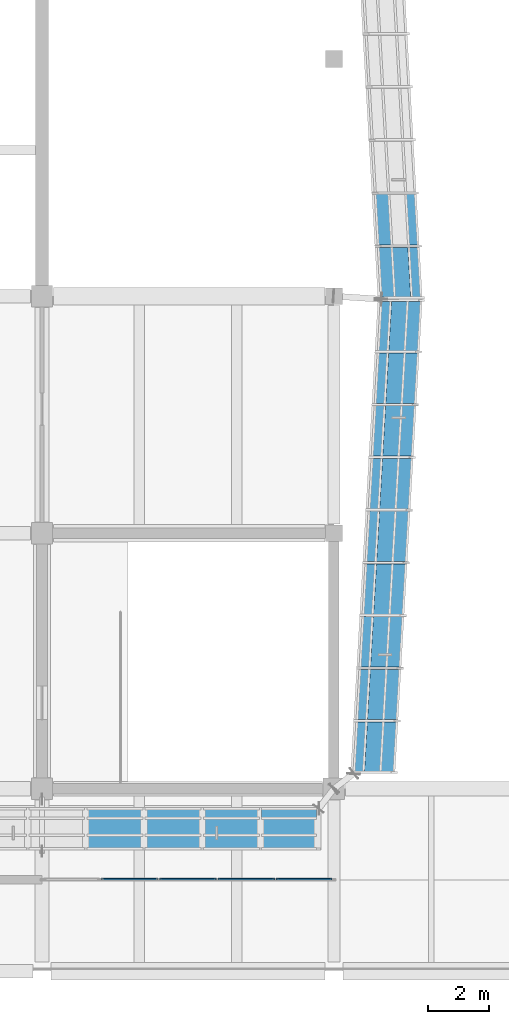
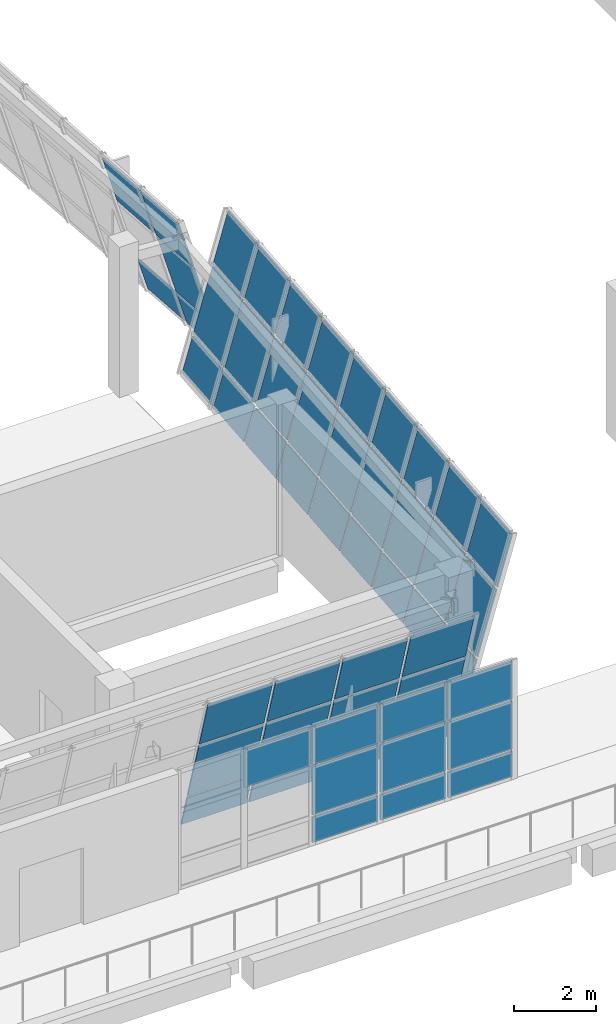
# One storey, part 39 of 67: 54 plates, 4 elements without a shape of their own.
"""IFC4 building model written with IfcOpenShell, lengths in metres."""

import ifcopenshell
import ifcopenshell.guid

model = None  # the IFC model being written
_history = None  # IfcOwnerHistory: only IFC2X3 demands one
_inside = {}  # id of a spatial element -> (the spatial element, [elements in it])
_under = {}  # id of a project, library or spatial element -> (it, [spatial elements below it])
_declared = {}  # id of a project -> (the project, [libraries it declares])
_typed = {}  # id of a type object -> (the type object, [elements of that type])
_made_of = {}  # id of a material, layer set ... -> (it, [elements and type objects made of it])


def new_model(schema):
    """Start an empty IFC model of exactly this schema.

    Asked for "IFC4X3", IfcOpenShell would pick the latest addendum, in which some entities
    have other attributes; the version numbers below select the first issue.
    IFC2X3 requires an IfcOwnerHistory on every rooted entity: one is made here for all.
    """
    global model, _history
    if schema == "IFC4X3":
        model = ifcopenshell.file(schema_version=(4, 3, 0, 0))
    else:
        model = ifcopenshell.file(schema=schema)
    _inside.clear()
    _under.clear()
    _declared.clear()
    _typed.clear()
    _made_of.clear()
    _history = None
    if model.schema == "IFC2X3":
        org = make("IfcOrganization", Name="unknown")
        user = make(
            "IfcPersonAndOrganization",
            ThePerson=make("IfcPerson", FamilyName="unknown"),
            TheOrganization=org,
        )
        app = make(
            "IfcApplication",
            ApplicationDeveloper=org,
            Version="unknown",
            ApplicationFullName="unknown",
            ApplicationIdentifier="unknown",
        )
        _history = make(
            "IfcOwnerHistory",
            OwningUser=user,
            OwningApplication=app,
            ChangeAction="ADDED",
            CreationDate=0,
        )
    return model


def make(cls, **values):
    """One entity of the class cls with the attributes given. An attribute that is None is left unset."""
    return model.create_entity(
        cls, **{name: value for name, value in values.items() if value is not None}
    )


def rooted(cls, **values):
    """An entity with a GlobalId (a new one), such as an element, a storey or a relation."""
    return make(cls, GlobalId=ifcopenshell.guid.new(), OwnerHistory=_history, **values)


def si_unit(unit_type, name, prefix=None):
    """IfcSIUnit, for example si_unit("LENGTHUNIT", "METRE", prefix="MILLI")."""
    return make("IfcSIUnit", UnitType=unit_type, Prefix=prefix, Name=name)


def assignment(units):
    """IfcUnitAssignment: the units of a project."""
    return None if units is None else make("IfcUnitAssignment", Units=units)


def point(xyz):
    """IfcCartesianPoint."""
    return None if xyz is None else make("IfcCartesianPoint", Coordinates=xyz)


def direction(xyz):
    """IfcDirection."""
    return None if xyz is None else make("IfcDirection", DirectionRatios=xyz)


def frame(location, z_axis=None, x_axis=None):
    """IfcAxis2Placement3D, a coordinate frame: its origin and axes. An axis left out is left unset."""
    return make(
        "IfcAxis2Placement3D",
        Location=point(location),
        Axis=direction(z_axis),
        RefDirection=direction(x_axis),
    )


def origin():
    """The frame at (0, 0, 0) with its axes left unset."""
    return frame((0.0, 0.0, 0.0))


def place(relative_to, where):
    """IfcLocalPlacement: puts the frame where relative to a parent placement (None: the world)."""
    return make(
        "IfcLocalPlacement", PlacementRelTo=relative_to, RelativePlacement=where
    )


def context(
    kind, dimensions, precision=None, world=None, true_north=None, identifier=None
):
    """IfcGeometricRepresentationContext, for example the 3D "Model" context."""
    return make(
        "IfcGeometricRepresentationContext",
        ContextIdentifier=identifier,
        ContextType=kind,
        CoordinateSpaceDimension=dimensions,
        Precision=precision,
        WorldCoordinateSystem=world,
        TrueNorth=true_north,
    )


def subcontext(parent, identifier, kind, view, scale=None):
    """IfcGeometricRepresentationSubContext, for example "Body" below "Model"."""
    return make(
        "IfcGeometricRepresentationSubContext",
        ContextIdentifier=identifier,
        ContextType=kind,
        ParentContext=parent,
        TargetScale=scale,
        TargetView=view,
    )


def project(units=None, contexts=None):
    """IfcProject with its units and contexts."""
    return rooted(
        "IfcProject",
        Name="project",
        RepresentationContexts=contexts,
        UnitsInContext=assignment(units),
    )


def spatial(cls, under=None, at=None, **own):
    """A site, building, storey or space (cls), placed at a placement, below another one or the project."""
    s = rooted(cls, ObjectPlacement=at, **own)
    if under is not None:
        _under.setdefault(under.id(), (under, []))[1].append(s)
    return s


def polyline(points):
    """IfcPolyline through the points."""
    return make("IfcPolyline", Points=[point(p) for p in points])


def outline(outer, holes=None, kind="AREA"):
    """IfcArbitraryClosedProfileDef: a profile drawn as a closed curve; with holes, ...WithVoids."""
    if holes is None:
        return make("IfcArbitraryClosedProfileDef", ProfileType=kind, OuterCurve=outer)
    return make(
        "IfcArbitraryProfileDefWithVoids",
        ProfileType=kind,
        OuterCurve=outer,
        InnerCurves=holes,
    )


def extrude(swept, where, along, depth):
    """IfcExtrudedAreaSolid: the profile swept, set in the frame where, extruded along a direction by depth."""
    return make(
        "IfcExtrudedAreaSolid",
        SweptArea=swept,
        Position=where,
        ExtrudedDirection=direction(along),
        Depth=depth,
    )


def shape(context_of_items, identifier, shape_type, items):
    """IfcShapeRepresentation: the items that make up one representation, for example the "Body"."""
    return make(
        "IfcShapeRepresentation",
        ContextOfItems=context_of_items,
        RepresentationIdentifier=identifier,
        RepresentationType=shape_type,
        Items=items,
    )


def material(Name=None, Category=None):
    """IfcMaterial."""
    return make("IfcMaterial", Name=Name, Category=Category)


def layer(
    of_material, thickness, ventilated=None, Name=None, Category=None, Priority=None
):
    """IfcMaterialLayer: one layer of a wall or slab, of a material (None: an air gap)."""
    return make(
        "IfcMaterialLayer",
        Material=of_material,
        LayerThickness=thickness,
        IsVentilated=ventilated,
        Name=Name,
        Category=Category,
        Priority=Priority,
    )


def layer_set(layers, Name=None):
    """IfcMaterialLayerSet."""
    return make("IfcMaterialLayerSet", MaterialLayers=layers, LayerSetName=Name)


def made_of(thing, what):
    """Note that an element or type object is made of a material, layer set ...; save() writes the relation."""
    if what is not None:
        _made_of.setdefault(what.id(), (what, []))[1].append(thing)
    return thing


def type_object(cls, material=None, **own):
    """A type object (cls), such as IfcWallType, which elements share."""
    return made_of(rooted(cls, **own), material)


def element(
    cls,
    number,
    at=None,
    inside=None,
    cuts=None,
    type_object=None,
    material=None,
    context=None,
    identifier="Body",
    shape_type=None,
    held_by="IfcProductDefinitionShape",
    body=None,
    shapes=None,
    **own,
):
    """One element of the class cls, such as IfcWall. Its Tag is "e" and its number.

    at: its placement. inside: the storey or other place that contains it. cuts: it is an
    opening in that element (IfcRelVoidsElement). A single representation is given by context,
    identifier, shape_type and body (its items); several are given by shapes. held_by: the class
    of the entity that holds the representations. save() writes the other relations.
    """
    e = rooted(cls, Tag="e%d" % number, ObjectPlacement=at, **own)
    if body is not None:
        shapes = [shape(context, identifier, shape_type, body)]
    if shapes is not None:
        e.Representation = make(held_by, Representations=shapes)
    if inside is not None:
        _inside.setdefault(inside.id(), (inside, []))[1].append(e)
    if cuts is not None:
        rooted(
            "IfcRelVoidsElement", RelatingBuildingElement=cuts, RelatedOpeningElement=e
        )
    if type_object is not None:
        _typed.setdefault(type_object.id(), (type_object, []))[1].append(e)
    return made_of(e, material)


def aggregate(whole, parts):
    """IfcRelAggregates: a whole, such as a stair, and the parts it consists of."""
    return rooted("IfcRelAggregates", RelatingObject=whole, RelatedObjects=parts)


def save(model, path):
    """Write the relations noted so far, then the file.

    IfcRelAggregates (storeys below a building ...), IfcRelContainedInSpatialStructure (elements
    in a storey), IfcRelDefinesByType, IfcRelAssociatesMaterial and IfcRelDeclares: one each for
    every whole, place, type object, material and project.
    """
    for whole, parts in _under.values():
        aggregate(whole, parts)
    for where, things in _inside.values():
        rooted(
            "IfcRelContainedInSpatialStructure",
            RelatedElements=things,
            RelatingStructure=where,
        )
    for kind, things in _typed.values():
        rooted("IfcRelDefinesByType", RelatedObjects=things, RelatingType=kind)
    for what, things in _made_of.values():
        rooted("IfcRelAssociatesMaterial", RelatedObjects=things, RelatingMaterial=what)
    for by, libraries in _declared.values():
        rooted("IfcRelDeclares", RelatingContext=by, RelatedDefinitions=libraries)
    model.write(path)


model = new_model("IFC4")

# Units and contexts
model_context = context("Model", 3, precision=1e-05, world=origin(), true_north=direction((0.0, 1.0)))
body_context = subcontext(model_context, "Body", "Model", "MODEL_VIEW")
ifc_project = project(units=[si_unit("LENGTHUNIT", "METRE"), si_unit("AREAUNIT", "SQUARE_METRE"), si_unit("VOLUMEUNIT", "CUBIC_METRE"), si_unit("PLANEANGLEUNIT", "RADIAN"), si_unit("MASSUNIT", "GRAM", prefix="KILO")], contexts=[model_context])

# Site, building, storey
site_placement = place(None, origin())
site = spatial("IfcSite", under=ifc_project, at=site_placement, CompositionType="ELEMENT")
building_placement = place(site_placement, origin())
building = spatial("IfcBuilding", under=site, at=building_placement, Name="Pellamere Symphony Hall", CompositionType="ELEMENT")
storey_placement = place(building_placement, frame((0.0, 0.0, 19.5)))
storey = spatial("IfcBuildingStorey", under=building, at=storey_placement, Name="L04", CompositionType="ELEMENT", Elevation=19.5)

# Curtain wall, plates
ifc_material_1 = material(Name="Thermally Broken Anodised Aluminium 6063-T6 Curtain Wall", Category="aluminium")
curtain_wall_type_1 = type_object("IfcCurtainWallType", Name="Curtain Wall CW-01 (Tilted Faceted Crystal Low-Iron Curtain Wall)", PredefinedType="NOTDEFINED", material=ifc_material_1)
curtain_wall_1_placement = place(storey_placement, origin())
curtain_wall_1 = element("IfcCurtainWall", 1, at=curtain_wall_1_placement, inside=storey, type_object=curtain_wall_type_1, Name="Crystal Faceted Curtain Wall CW-CR05 (L04)", PredefinedType="NOTDEFINED")
ifc_material_2 = material(Name="Triple Laminated Acoustic Crystal Glazing 42mm", Category="glass")
ifc_layer_1 = layer(ifc_material_2, 0.0419921875, Name="Triple Laminated Acoustic Crystal Glazing 42mm")
ifc_layer_set_1 = layer_set([ifc_layer_1], Name="Triple Laminated Acoustic Crystal Glazing 42mm")
plate_type_1 = type_object("IfcPlateType", Name="Facade Panel GL-02 42mm", PredefinedType="CURTAIN_PANEL", material=ifc_layer_set_1)
plate_1_placement = place(storey_placement, frame((110.680419921875, 29.32861328125, 0.072021484375), z_axis=(0.0, 0.958834551631, 0.28396531936), x_axis=(1.0, 0.0, 0.0)))
plate_1 = element("IfcPlate", 2, at=plate_1_placement, type_object=plate_type_1, Name="CW1-005 crystal glass panel 4.1", PredefinedType="CURTAIN_PANEL", context=body_context, shape_type="SweptSolid", body=[
    extrude(outline(polyline([(0.0, 0.0), (1.839111328125, 0.0), (1.839111328125, -1.013651235734157), (0.0, -1.013651235734157), (0.0, 0.0)])), origin(), (0.0, 0.0, -1.0), 0.0419921875),
])
plate_2_placement = place(storey_placement, frame((110.680419921875, 29.01953125, 1.115966796875), z_axis=(0.0, 0.95881629514, 0.284026956772), x_axis=(1.0, 0.0, 0.0)))
plate_2 = element("IfcPlate", 3, at=plate_2_placement, type_object=plate_type_1, Name="CW1-005 crystal glass panel 4.2", PredefinedType="CURTAIN_PANEL", context=body_context, shape_type="SweptSolid", body=[
    extrude(outline(polyline([(0.0, 0.0), (1.839111328125, 0.0), (1.839111328125, -1.8962081095092476), (0.0, -1.8962081095092476), (0.0, 0.0)])), origin(), (0.0, 0.0, -1.0), 0.0419921875),
])
plate_3_placement = place(storey_placement, frame((110.680419921875, 28.45947265625, 3.005859375), z_axis=(0.0, 0.958839617643, 0.28394821295), x_axis=(1.0, 0.0, 0.0)))
plate_3 = element("IfcPlate", 4, at=plate_3_placement, type_object=plate_type_1, Name="CW1-005 crystal glass panel 4.3", PredefinedType="CURTAIN_PANEL", context=body_context, shape_type="SweptSolid", body=[
    extrude(outline(polyline([(0.0, 0.0), (1.839111328125, 0.0), (1.839111328125, -1.4831668554959554), (0.0, -1.4831668554959554), (0.0, 0.0)])), origin(), (0.0, 0.0, -1.0), 0.0419921875),
])
plate_4_placement = place(storey_placement, frame((112.5947265625, 29.32861328125, 0.072021484375), z_axis=(0.0, 0.958834551631, 0.28396531936), x_axis=(1.0, 0.0, 0.0)))
plate_4 = element("IfcPlate", 5, at=plate_4_placement, type_object=plate_type_1, Name="CW1-005 crystal glass panel 5.1", PredefinedType="CURTAIN_PANEL", context=body_context, shape_type="SweptSolid", body=[
    extrude(outline(polyline([(0.0, 0.0), (1.839111328125, 0.0), (1.839111328125, -1.013651235734157), (0.0, -1.013651235734157), (0.0, 0.0)])), origin(), (0.0, 0.0, -1.0), 0.0419921875),
])
plate_5_placement = place(storey_placement, frame((112.5947265625, 29.01953125, 1.115966796875), z_axis=(0.0, 0.95881629514, 0.284026956772), x_axis=(1.0, 0.0, 0.0)))
plate_5 = element("IfcPlate", 6, at=plate_5_placement, type_object=plate_type_1, Name="CW1-005 crystal glass panel 5.2", PredefinedType="CURTAIN_PANEL", context=body_context, shape_type="SweptSolid", body=[
    extrude(outline(polyline([(0.0, 0.0), (1.839111328125, 0.0), (1.839111328125, -1.8962081095092476), (0.0, -1.8962081095092476), (0.0, 0.0)])), origin(), (0.0, 0.0, -1.0), 0.0419921875),
])
plate_6_placement = place(storey_placement, frame((112.5947265625, 28.45947265625, 3.005859375), z_axis=(0.0, 0.958839617643, 0.28394821295), x_axis=(1.0, 0.0, 0.0)))
plate_6 = element("IfcPlate", 7, at=plate_6_placement, type_object=plate_type_1, Name="CW1-005 crystal glass panel 5.3", PredefinedType="CURTAIN_PANEL", context=body_context, shape_type="SweptSolid", body=[
    extrude(outline(polyline([(0.0, 0.0), (1.839111328125, 0.0), (1.839111328125, -1.4831668554959554), (0.0, -1.4831668554959554), (0.0, 0.0)])), origin(), (0.0, 0.0, -1.0), 0.0419921875),
])
plate_7_placement = place(storey_placement, frame((114.509033203125, 29.32861328125, 0.072021484375), z_axis=(0.0, 0.958834551631, 0.28396531936), x_axis=(1.0, 0.0, 0.0)))
plate_7 = element("IfcPlate", 8, at=plate_7_placement, type_object=plate_type_1, Name="CW1-005 crystal glass panel 6.1", PredefinedType="CURTAIN_PANEL", context=body_context, shape_type="SweptSolid", body=[
    extrude(outline(polyline([(0.0, 0.0), (1.839111328125, 0.0), (1.839111328125, -1.013651235734157), (0.0, -1.013651235734157), (0.0, 0.0)])), origin(), (0.0, 0.0, -1.0), 0.0419921875),
])
plate_8_placement = place(storey_placement, frame((114.509033203125, 29.01953125, 1.115966796875), z_axis=(0.0, 0.95881629514, 0.284026956772), x_axis=(1.0, 0.0, 0.0)))
plate_8 = element("IfcPlate", 9, at=plate_8_placement, type_object=plate_type_1, Name="CW1-005 crystal glass panel 6.2", PredefinedType="CURTAIN_PANEL", context=body_context, shape_type="SweptSolid", body=[
    extrude(outline(polyline([(0.0, 0.0), (1.839111328125, 0.0), (1.839111328125, -1.8962081095092476), (0.0, -1.8962081095092476), (0.0, 0.0)])), origin(), (0.0, 0.0, -1.0), 0.0419921875),
])
plate_9_placement = place(storey_placement, frame((114.509033203125, 28.45947265625, 3.005859375), z_axis=(0.0, 0.958839617643, 0.28394821295), x_axis=(1.0, 0.0, 0.0)))
plate_9 = element("IfcPlate", 10, at=plate_9_placement, type_object=plate_type_1, Name="CW1-005 crystal glass panel 6.3", PredefinedType="CURTAIN_PANEL", context=body_context, shape_type="SweptSolid", body=[
    extrude(outline(polyline([(0.0, 0.0), (1.839111328125, 0.0), (1.839111328125, -1.4831668554959554), (0.0, -1.4831668554959554), (0.0, 0.0)])), origin(), (0.0, 0.0, -1.0), 0.0419921875),
])
plate_10_placement = place(storey_placement, frame((116.423095703125, 29.32861328125, 0.072021484375), z_axis=(0.0, 0.958834551631, 0.28396531936), x_axis=(1.0, 0.0, 0.0)))
plate_10 = element("IfcPlate", 11, at=plate_10_placement, type_object=plate_type_1, Name="CW1-005 crystal glass panel 7.1", PredefinedType="CURTAIN_PANEL", context=body_context, shape_type="SweptSolid", body=[
    extrude(outline(polyline([(0.0, 0.0), (1.802001953125, 0.0), (1.802001953125, -1.013651235734157), (0.0, -1.013651235734157), (0.0, 0.0)])), origin(), (0.0, 0.0, -1.0), 0.0419921875),
])
plate_11_placement = place(storey_placement, frame((116.423095703125, 29.01953125, 1.115966796875), z_axis=(0.0, 0.95881629514, 0.284026956772), x_axis=(1.0, 0.0, 0.0)))
plate_11 = element("IfcPlate", 12, at=plate_11_placement, type_object=plate_type_1, Name="CW1-005 crystal glass panel 7.2", PredefinedType="CURTAIN_PANEL", context=body_context, shape_type="SweptSolid", body=[
    extrude(outline(polyline([(0.0, 0.0), (1.802001953125, 0.0), (1.802001953125, -1.8962081095092473), (0.0, -1.8962081095092473), (0.0, 0.0)])), origin(), (0.0, 0.0, -1.0), 0.0419921875),
])
plate_12_placement = place(storey_placement, frame((116.423095703125, 28.45947265625, 3.005859375), z_axis=(0.0, 0.958839617643, 0.28394821295), x_axis=(1.0, 0.0, 0.0)))
plate_12 = element("IfcPlate", 13, at=plate_12_placement, type_object=plate_type_1, Name="CW1-005 crystal glass panel 7.3", PredefinedType="CURTAIN_PANEL", context=body_context, shape_type="SweptSolid", body=[
    extrude(outline(polyline([(0.0, 0.0), (1.802001953125, 0.0), (1.802001953125, -1.4831668554959554), (0.0, -1.4831668554959554), (0.0, 0.0)])), origin(), (0.0, 0.0, -1.0), 0.0419921875),
])
aggregate(curtain_wall_1, [plate_1, plate_2, plate_3, plate_4, plate_5, plate_6, plate_7, plate_8, plate_9, plate_10, plate_11, plate_12])

curtain_wall_2_placement = place(storey_placement, origin())
curtain_wall_2 = element("IfcCurtainWall", 14, at=curtain_wall_2_placement, inside=storey, type_object=curtain_wall_type_1, Name="Crystal Faceted Curtain Wall CW-CR06 (L04)", PredefinedType="NOTDEFINED")
plate_13_placement = place(storey_placement, frame((119.4755859375, 30.574951171875, 0.072021484375), z_axis=(-0.957305734249, 0.055226404009, 0.283753018441), x_axis=(0.057593652861, 0.998340107954, 0.0)))
plate_13 = element("IfcPlate", 15, at=plate_13_placement, type_object=plate_type_1, Name="CW1-008 crystal glass panel 1.1", PredefinedType="CURTAIN_PANEL", context=body_context, shape_type="SweptSolid", body=[
    extrude(outline(polyline([(0.0, 0.0), (1.6235445180063734, 6.938893903907228e-18), (1.6401364394849838, -1.0135847982305457), (0.016591921478610355, -1.0135847982305457), (0.0, 0.0)])), origin(), (0.0, 0.0, -1.0), 0.0419921875),
])
plate_14_placement = place(storey_placement, frame((119.784912109375, 30.574951171875, 1.115966796875), z_axis=(-0.95735286075, 0.055229122709, 0.283593448478), x_axis=(0.057593652861, 0.998340107954, 0.0)))
plate_14 = element("IfcPlate", 16, at=plate_14_placement, type_object=plate_type_1, Name="CW1-008 crystal glass panel 1.2", PredefinedType="CURTAIN_PANEL", context=body_context, shape_type="SweptSolid", body=[
    extrude(outline(polyline([(0.0, 0.0), (1.6235445180063734, 0.0), (1.6545629746011314, -1.8959543902528653), (0.031018456594758003, -1.8959543902528653), (0.0, 0.0)])), origin(), (0.0, 0.0, -1.0), 0.0419921875),
])
plate_15_placement = place(storey_placement, frame((120.3447265625, 30.574951171875, 3.005859375), z_axis=(-0.957331455503, 0.055227887853, 0.283665938575), x_axis=(0.057593652861, 0.998340107954, 0.0)))
plate_15 = element("IfcPlate", 17, at=plate_15_placement, type_object=plate_type_1, Name="CW1-008 crystal glass panel 1.3", PredefinedType="CURTAIN_PANEL", context=body_context, shape_type="SweptSolid", body=[
    extrude(outline(polyline([(0.0, 0.0), (1.6235445180063734, 3.469446951953614e-18), (1.6478137184064425, -1.4830376336367266), (0.024269200400069045, -1.4830376336367266), (0.0, 0.0)])), origin(), (0.0, 0.0, -1.0), 0.0419921875),
])
plate_16_placement = place(storey_placement, frame((119.573486328125, 32.270751953125, 0.072021484375), z_axis=(-0.95737017047, 0.055246445874, 0.283531633003), x_axis=(0.057610619545, 0.998339129012, 0.0)))
plate_16 = element("IfcPlate", 18, at=plate_16_placement, type_object=plate_type_1, Name="CW1-008 crystal glass panel 2.1", PredefinedType="CURTAIN_PANEL", context=body_context, shape_type="SweptSolid", body=[
    extrude(outline(polyline([(0.0, 0.0), (1.6612063149993754, 3.469446951953614e-18), (1.6777890592484324, -1.0135155846352601), (0.0165827442490568, -1.0135155846352604), (0.0, 0.0)])), origin(), (0.0, 0.0, -1.0), 0.0419921875),
])
plate_17_placement = place(storey_placement, frame((119.8828125, 32.270751953125, 1.115966796875), z_axis=(-0.957351997497, 0.055245397176, 0.283593192759), x_axis=(0.057610619545, 0.998339129012, 0.0)))
plate_17 = element("IfcPlate", 19, at=plate_17_placement, type_object=plate_type_1, Name="CW1-008 crystal glass panel 2.2", PredefinedType="CURTAIN_PANEL", context=body_context, shape_type="SweptSolid", body=[
    extrude(outline(polyline([(0.0, 0.0), (1.6612063149993754, 3.469446951953614e-18), (1.6922339094127932, -1.8959542407330272), (0.031027594413417556, -1.8959542407330272), (0.0, 0.0)])), origin(), (0.0, 0.0, -1.0), 0.0419921875),
])
plate_18_placement = place(storey_placement, frame((120.442626953125, 32.270751953125, 3.005859375), z_axis=(-0.957375213306, 0.055246736879, 0.283514548147), x_axis=(0.057610619545, 0.998339129012, 0.0)))
plate_18 = element("IfcPlate", 20, at=plate_18_placement, type_object=plate_type_1, Name="CW1-008 crystal glass panel 2.3", PredefinedType="CURTAIN_PANEL", context=body_context, shape_type="SweptSolid", body=[
    extrude(outline(polyline([(0.0, 0.0), (1.6612063149993754, 6.938893903907228e-18), (1.685468599842143, -1.482968395744147), (0.02426228484276758, -1.482968395744147), (0.0, 0.0)])), origin(), (0.0, 0.0, -1.0), 0.0419921875),
])
plate_19_placement = place(storey_placement, frame((119.67333984375, 34.004150390625, 0.072021484375), z_axis=(-0.957304871124, 0.05524267768, 0.283752762604), x_axis=(0.057610619545, 0.998339129012, 0.0)))
plate_19 = element("IfcPlate", 21, at=plate_19_placement, type_object=plate_type_1, Name="CW1-008 crystal glass panel 3.1", PredefinedType="CURTAIN_PANEL", context=body_context, shape_type="SweptSolid", body=[
    extrude(outline(polyline([(0.0, 0.0), (1.6612063149993754, 0.0), (1.677803124341095, -1.0135847182066644), (0.01659680934171927, -1.0135847182066644), (0.0, 0.0)])), origin(), (0.0, 0.0, -1.0), 0.0419921875),
])
plate_20_placement = place(storey_placement, frame((119.982666015625, 34.004150390625, 1.115966796875), z_axis=(-0.957351997497, 0.055245397176, 0.283593192759), x_axis=(0.057610619545, 0.998339129012, 0.0)))
plate_20 = element("IfcPlate", 22, at=plate_20_placement, type_object=plate_type_1, Name="CW1-008 crystal glass panel 3.2", PredefinedType="CURTAIN_PANEL", context=body_context, shape_type="SweptSolid", body=[
    extrude(outline(polyline([(0.0, 0.0), (1.6612063149993754, 3.469446951953614e-18), (1.6922339094127932, -1.8959542407330272), (0.031027594413417556, -1.8959542407330272), (0.0, 0.0)])), origin(), (0.0, 0.0, -1.0), 0.0419921875),
])
plate_21_placement = place(storey_placement, frame((120.54248046875, 34.004150390625, 3.005859375), z_axis=(-0.957330592308, 0.055244161959, 0.283665682802), x_axis=(0.057610619545, 0.998339129012, 0.0)))
plate_21 = element("IfcPlate", 23, at=plate_21_placement, type_object=plate_type_1, Name="CW1-008 crystal glass panel 3.3", PredefinedType="CURTAIN_PANEL", context=body_context, shape_type="SweptSolid", body=[
    extrude(outline(polyline([(0.0, 0.0), (1.6612063149993754, 0.0), (1.6854826649348056, -1.4830375166207674), (0.024276349935430055, -1.4830375166207674), (0.0, 0.0)])), origin(), (0.0, 0.0, -1.0), 0.0419921875),
])
plate_22_placement = place(storey_placement, frame((119.7734375, 35.737548828125, 0.072021484375), z_axis=(-0.957304871124, 0.05524267768, 0.283752762604), x_axis=(0.057610619545, 0.998339129012, 0.0)))
plate_22 = element("IfcPlate", 24, at=plate_22_placement, type_object=plate_type_1, Name="CW1-008 crystal glass panel 4.1", PredefinedType="CURTAIN_PANEL", context=body_context, shape_type="SweptSolid", body=[
    extrude(outline(polyline([(0.0, 0.0), (1.6612063149993754, 0.0), (1.677803124341095, -1.0135847182066644), (0.01659680934171927, -1.0135847182066644), (0.0, 0.0)])), origin(), (0.0, 0.0, -1.0), 0.0419921875),
])
plate_23_placement = place(storey_placement, frame((120.082763671875, 35.737548828125, 1.115966796875), z_axis=(-0.957351997497, 0.055245397176, 0.283593192759), x_axis=(0.057610619545, 0.998339129012, 0.0)))
plate_23 = element("IfcPlate", 25, at=plate_23_placement, type_object=plate_type_1, Name="CW1-008 crystal glass panel 4.2", PredefinedType="CURTAIN_PANEL", context=body_context, shape_type="SweptSolid", body=[
    extrude(outline(polyline([(0.0, 0.0), (1.6612063149993754, 3.469446951953614e-18), (1.6922339094127932, -1.8959542407330272), (0.031027594413417556, -1.8959542407330272), (0.0, 0.0)])), origin(), (0.0, 0.0, -1.0), 0.0419921875),
])
plate_24_placement = place(storey_placement, frame((120.642578125, 35.737548828125, 3.005859375), z_axis=(-0.957356629816, 0.055175198082, 0.283591221416), x_axis=(0.057543270249, 0.998343013023, 1.9950465e-05)))
plate_24 = element("IfcPlate", 26, at=plate_24_placement, type_object=plate_type_1, Name="CW1-008 crystal glass panel 4.3", PredefinedType="CURTAIN_PANEL", context=body_context, shape_type="SweptSolid", body=[
    extrude(outline(polyline([(0.0, 0.0), (1.661206310888692, 0.0), (1.6854686040128641, -1.4829683910039115), (0.024276341774135235, -1.4830375121498305), (0.0, 0.0)])), origin(), (0.0, 0.0, -1.0), 0.0419921875),
])
plate_25_placement = place(storey_placement, frame((119.87353515625, 37.470703125, 0.072021484375), z_axis=(-0.95737017047, 0.055246445874, 0.283531633003), x_axis=(0.057610619545, 0.998339129012, 0.0)))
plate_25 = element("IfcPlate", 27, at=plate_25_placement, type_object=plate_type_1, Name="CW1-008 crystal glass panel 5.1", PredefinedType="CURTAIN_PANEL", context=body_context, shape_type="SweptSolid", body=[
    extrude(outline(polyline([(0.0, 0.0), (1.6612063149993754, 3.469446951953614e-18), (1.6777890592484324, -1.0135155846352601), (0.0165827442490568, -1.0135155846352604), (0.0, 0.0)])), origin(), (0.0, 0.0, -1.0), 0.0419921875),
])
plate_26_placement = place(storey_placement, frame((120.1826171875, 37.470703125, 1.115966796875), z_axis=(-0.957351997497, 0.055245397176, 0.283593192759), x_axis=(0.057610619545, 0.998339129012, 0.0)))
plate_26 = element("IfcPlate", 28, at=plate_26_placement, type_object=plate_type_1, Name="CW1-008 crystal glass panel 5.2", PredefinedType="CURTAIN_PANEL", context=body_context, shape_type="SweptSolid", body=[
    extrude(outline(polyline([(0.0, 0.0), (1.6612063149993754, 3.469446951953614e-18), (1.6922339094127932, -1.8959542407330272), (0.031027594413417556, -1.8959542407330272), (0.0, 0.0)])), origin(), (0.0, 0.0, -1.0), 0.0419921875),
])
plate_27_placement = place(storey_placement, frame((120.74267578125, 37.470703125, 3.005859375), z_axis=(-0.957375213306, 0.055246736879, 0.283514548147), x_axis=(0.057610619545, 0.998339129012, 0.0)))
plate_27 = element("IfcPlate", 29, at=plate_27_placement, type_object=plate_type_1, Name="CW1-008 crystal glass panel 5.3", PredefinedType="CURTAIN_PANEL", context=body_context, shape_type="SweptSolid", body=[
    extrude(outline(polyline([(0.0, 0.0), (1.6612063149993754, 6.938893903907228e-18), (1.685468599842143, -1.482968395744147), (0.02426228484276758, -1.482968395744147), (0.0, 0.0)])), origin(), (0.0, 0.0, -1.0), 0.0419921875),
])
plate_28_placement = place(storey_placement, frame((119.973388671875, 39.2041015625, 0.072021484375), z_axis=(-0.957304871124, 0.05524267768, 0.283752762604), x_axis=(0.057610619545, 0.998339129012, 0.0)))
plate_28 = element("IfcPlate", 30, at=plate_28_placement, type_object=plate_type_1, Name="CW1-008 crystal glass panel 6.1", PredefinedType="CURTAIN_PANEL", context=body_context, shape_type="SweptSolid", body=[
    extrude(outline(polyline([(0.0, 0.0), (1.6612063149993754, 0.0), (1.677803124341095, -1.0135847182066644), (0.01659680934171927, -1.0135847182066644), (0.0, 0.0)])), origin(), (0.0, 0.0, -1.0), 0.0419921875),
])
plate_29_placement = place(storey_placement, frame((120.28271484375, 39.2041015625, 1.115966796875), z_axis=(-0.957351997497, 0.055245397176, 0.283593192759), x_axis=(0.057610619545, 0.998339129012, 0.0)))
plate_29 = element("IfcPlate", 31, at=plate_29_placement, type_object=plate_type_1, Name="CW1-008 crystal glass panel 6.2", PredefinedType="CURTAIN_PANEL", context=body_context, shape_type="SweptSolid", body=[
    extrude(outline(polyline([(0.0, 0.0), (1.6612063149993754, 3.469446951953614e-18), (1.6922339094127932, -1.8959542407330272), (0.031027594413417556, -1.8959542407330272), (0.0, 0.0)])), origin(), (0.0, 0.0, -1.0), 0.0419921875),
])
plate_30_placement = place(storey_placement, frame((120.842529296875, 39.2041015625, 3.005859375), z_axis=(-0.957330592308, 0.055244161959, 0.283665682802), x_axis=(0.057610619545, 0.998339129012, 0.0)))
plate_30 = element("IfcPlate", 32, at=plate_30_placement, type_object=plate_type_1, Name="CW1-008 crystal glass panel 6.3", PredefinedType="CURTAIN_PANEL", context=body_context, shape_type="SweptSolid", body=[
    extrude(outline(polyline([(0.0, 0.0), (1.6612063149993754, 0.0), (1.6854826649348056, -1.4830375166207674), (0.024276349935430055, -1.4830375166207674), (0.0, 0.0)])), origin(), (0.0, 0.0, -1.0), 0.0419921875),
])
plate_31_placement = place(storey_placement, frame((120.073486328125, 40.9375, 0.072021484375), z_axis=(-0.95737017047, 0.055246445874, 0.283531633003), x_axis=(0.057610619545, 0.998339129012, 0.0)))
plate_31 = element("IfcPlate", 33, at=plate_31_placement, type_object=plate_type_1, Name="CW1-008 crystal glass panel 7.1", PredefinedType="CURTAIN_PANEL", context=body_context, shape_type="SweptSolid", body=[
    extrude(outline(polyline([(0.0, 0.0), (1.6612063149993754, 3.469446951953614e-18), (1.6777890592484324, -1.0135155846352601), (0.0165827442490568, -1.0135155846352604), (0.0, 0.0)])), origin(), (0.0, 0.0, -1.0), 0.0419921875),
])
plate_32_placement = place(storey_placement, frame((120.3828125, 40.9375, 1.115966796875), z_axis=(-0.957351997497, 0.055245397176, 0.283593192759), x_axis=(0.057610619545, 0.998339129012, 0.0)))
plate_32 = element("IfcPlate", 34, at=plate_32_placement, type_object=plate_type_1, Name="CW1-008 crystal glass panel 7.2", PredefinedType="CURTAIN_PANEL", context=body_context, shape_type="SweptSolid", body=[
    extrude(outline(polyline([(0.0, 0.0), (1.6612063149993754, 3.469446951953614e-18), (1.6922339094127932, -1.8959542407330272), (0.031027594413417556, -1.8959542407330272), (0.0, 0.0)])), origin(), (0.0, 0.0, -1.0), 0.0419921875),
])
plate_33_placement = place(storey_placement, frame((120.942626953125, 40.9375, 3.005859375), z_axis=(-0.957375213306, 0.055246736879, 0.283514548147), x_axis=(0.057610619545, 0.998339129012, 0.0)))
plate_33 = element("IfcPlate", 35, at=plate_33_placement, type_object=plate_type_1, Name="CW1-008 crystal glass panel 7.3", PredefinedType="CURTAIN_PANEL", context=body_context, shape_type="SweptSolid", body=[
    extrude(outline(polyline([(0.0, 0.0), (1.6612063149993754, 6.938893903907228e-18), (1.685468599842143, -1.482968395744147), (0.02426228484276758, -1.482968395744147), (0.0, 0.0)])), origin(), (0.0, 0.0, -1.0), 0.0419921875),
])
plate_34_placement = place(storey_placement, frame((120.17333984375, 42.670654296875, 0.072021484375), z_axis=(-0.957305301098, 0.055234571391, 0.283752890052), x_axis=(0.057602168051, 0.998339616682, 0.0)))
plate_34 = element("IfcPlate", 36, at=plate_34_placement, type_object=plate_type_1, Name="CW1-008 crystal glass panel 8.1", PredefinedType="CURTAIN_PANEL", context=body_context, shape_type="SweptSolid", body=[
    extrude(outline(polyline([(0.0, 0.0), (1.6614500501978287, 3.469446951953614e-18), (1.6780444247828616, -1.0135847580713415), (0.01659437458503302, -1.0135847580713415), (0.0, 0.0)])), origin(), (0.0, 0.0, -1.0), 0.0419921875),
])
plate_35_placement = place(storey_placement, frame((120.482666015625, 42.670654296875, 1.115966796875), z_axis=(-0.957352427535, 0.055237290491, 0.283593320148), x_axis=(0.057602168051, 0.998339616682, 0.0)))
plate_35 = element("IfcPlate", 37, at=plate_35_placement, type_object=plate_type_1, Name="CW1-008 crystal glass panel 8.2", PredefinedType="CURTAIN_PANEL", context=body_context, shape_type="SweptSolid", body=[
    extrude(outline(polyline([(0.0, 0.0), (1.6614500501978287, 3.469446951953614e-18), (1.6924730928542548, -1.8959543152177933), (0.031023042656426136, -1.8959543152177933), (0.0, 0.0)])), origin(), (0.0, 0.0, -1.0), 0.0419921875),
])
plate_36_placement = place(storey_placement, frame((121.04248046875, 42.670654296875, 3.005859375), z_axis=(-0.957331022317, 0.055236055453, 0.283665810218), x_axis=(0.057602168051, 0.998339616682, 0.0)))
plate_36 = element("IfcPlate", 38, at=plate_36_placement, type_object=plate_type_1, Name="CW1-008 crystal glass panel 8.3", PredefinedType="CURTAIN_PANEL", context=body_context, shape_type="SweptSolid", body=[
    extrude(outline(polyline([(0.0, 0.0), (1.6614500501978287, -6.938893903907228e-18), (1.6857228387857668, -1.483037574913409), (0.02427278858793813, -1.483037574913409), (0.0, 0.0)])), origin(), (0.0, 0.0, -1.0), 0.0419921875),
])
plate_37_placement = place(storey_placement, frame((120.2734375, 44.404052734375, 0.072021484375), z_axis=(-0.957306173936, 0.055218112141, 0.283753148768), x_axis=(0.057585007883, 0.99834060664, 0.0)))
plate_37 = element("IfcPlate", 39, at=plate_37_placement, type_object=plate_type_1, Name="CW1-008 crystal glass panel 9.1", PredefinedType="CURTAIN_PANEL", context=body_context, shape_type="SweptSolid", body=[
    extrude(outline(polyline([(0.0, 0.0), (1.6237882534451713, 3.469446951953614e-18), (1.640377684427097, -1.0135848389957818), (0.016589430981925515, -1.0135848389957818), (0.0, 0.0)])), origin(), (0.0, 0.0, -1.0), 0.0419921875),
])
plate_38_placement = place(storey_placement, frame((120.582763671875, 44.404052734375, 1.115966796875), z_axis=(-0.957353300502, 0.055220830436, 0.283593578744), x_axis=(0.057585007883, 0.99834060664, 0.0)))
plate_38 = element("IfcPlate", 40, at=plate_38_placement, type_object=plate_type_1, Name="CW1-008 crystal glass panel 9.2", PredefinedType="CURTAIN_PANEL", context=body_context, shape_type="SweptSolid", body=[
    extrude(outline(polyline([(0.0, 0.0), (1.6237882534451713, 3.469446951953614e-18), (1.654802054077483, -1.895954466420271), (0.031013800632311597, -1.895954466420271), (0.0, 0.0)])), origin(), (0.0, 0.0, -1.0), 0.0419921875),
])
plate_39_placement = place(storey_placement, frame((121.142578125, 44.404052734375, 3.005859375), z_axis=(-0.957331895226, 0.055219595764, 0.283666068869), x_axis=(0.057585007883, 0.99834060664, 0.0)))
plate_39 = element("IfcPlate", 41, at=plate_39_placement, type_object=plate_type_1, Name="CW1-008 crystal glass panel 9.3", PredefinedType="CURTAIN_PANEL", context=body_context, shape_type="SweptSolid", body=[
    extrude(outline(polyline([(0.0, 0.0), (1.6237882534451713, 0.0), (1.6480538109661913, -1.483037693246222), (0.024265557521019863, -1.483037693246222), (0.0, 0.0)])), origin(), (0.0, 0.0, -1.0), 0.0419921875),
])
aggregate(curtain_wall_2, [plate_13, plate_14, plate_15, plate_16, plate_17, plate_18, plate_19, plate_20, plate_21, plate_22, plate_23, plate_24, plate_25, plate_26, plate_27, plate_28, plate_29, plate_30, plate_31, plate_32, plate_33, plate_34, plate_35, plate_36, plate_37, plate_38, plate_39])

curtain_wall_3_placement = place(storey_placement, origin())
curtain_wall_3 = element("IfcCurtainWall", 42, at=curtain_wall_3_placement, inside=storey, type_object=curtain_wall_type_1, Name="Crystal Faceted Curtain Wall CW-CR07 (L04)", PredefinedType="NOTDEFINED")
plate_40_placement = place(storey_placement, frame((121.657470703125, 46.1748046875, 0.072021484375), z_axis=(0.95732575671, 0.054847534004, 0.283758953257), x_axis=(-0.057198647566, 0.998362817175, 0.0)))
plate_40 = element("IfcPlate", 43, at=plate_40_placement, type_object=plate_type_1, Name="CW1-011 crystal glass panel 1.1", PredefinedType="CURTAIN_PANEL", context=body_context, shape_type="SweptSolid", body=[
    extrude(outline(polyline([(0.0, 0.0), (1.6347564733470132, 3.469446951953614e-18), (1.6512345993547588, 1.013586654620946), (0.016478126007745692, 1.013586654620946), (0.0, 0.0)])), origin(), (0.0, 0.0, -1.0), 0.0419921875),
])
plate_41_placement = place(storey_placement, frame((121.34814453125, 46.1748046875, 1.115966796875), z_axis=(0.957372886168, 0.054850234166, 0.283599380541), x_axis=(-0.057198647566, 0.998362817175, 0.0)))
plate_41 = element("IfcPlate", 44, at=plate_41_placement, type_object=plate_type_1, Name="CW1-011 crystal glass panel 1.2", PredefinedType="CURTAIN_PANEL", context=body_context, shape_type="SweptSolid", body=[
    extrude(outline(polyline([(0.0, 0.0), (1.6347564733470132, 0.0), (1.665562190273358, 1.8959578588073336), (0.03080571692634491, 1.8959578588073336), (0.0, 0.0)])), origin(), (0.0, 0.0, -1.0), 0.0419921875),
])
plate_42_placement = place(storey_placement, frame((120.788330078125, 46.1748046875, 3.005859375), z_axis=(0.957351479578, 0.05484900773, 0.283671871889), x_axis=(-0.057198647566, 0.998362817175, 0.0)))
plate_42 = element("IfcPlate", 45, at=plate_42_placement, type_object=plate_type_1, Name="CW1-011 crystal glass panel 1.3", PredefinedType="CURTAIN_PANEL", context=body_context, shape_type="SweptSolid", body=[
    extrude(outline(polyline([(0.0, 0.0), (1.6347564733470132, -3.469446951953614e-18), (1.6588592237617328, 1.4830403481676844), (0.024102750414719543, 1.4830403481676844), (0.0, 0.0)])), origin(), (0.0, 0.0, -1.0), 0.0419921875),
])
plate_43_placement = place(storey_placement, frame((121.5595703125, 47.8818359375, 0.072021484375), z_axis=(0.957324455748, 0.054872230831, 0.283758567642), x_axis=(-0.057224396245, 0.998361341637, 0.0)))
plate_43 = element("IfcPlate", 46, at=plate_43_placement, type_object=plate_type_1, Name="CW1-011 crystal glass panel 2.1", PredefinedType="CURTAIN_PANEL", context=body_context, shape_type="SweptSolid", body=[
    extrude(outline(polyline([(0.0, 0.0), (1.6724182565382377, 0.0), (1.6889038003784336, 1.0135865340002803), (0.016485543840195648, 1.0135865340002805), (0.0, 0.0)])), origin(), (0.0, 0.0, -1.0), 0.0419921875),
])
plate_44_placement = place(storey_placement, frame((120.6904296875, 47.8818359375, 3.005859375), z_axis=(0.957350178511, 0.054873705217, 0.283671486371), x_axis=(-0.057224396245, 0.998361341637, 0.0)))
plate_44 = element("IfcPlate", 47, at=plate_44_placement, type_object=plate_type_1, Name="CW1-011 crystal glass panel 2.3", PredefinedType="CURTAIN_PANEL", context=body_context, shape_type="SweptSolid", body=[
    extrude(outline(polyline([(0.0, 0.0), (1.6724182565382377, 3.469446951953614e-18), (1.69653185710449, 1.48304017178855), (0.024113600566252277, 1.48304017178855), (0.0, 0.0)])), origin(), (0.0, 0.0, -1.0), 0.0419921875),
])
aggregate(curtain_wall_3, [plate_40, plate_41, plate_42, plate_43, plate_44])

curtain_wall_type_2 = type_object("IfcCurtainWallType", Name="Curtain Wall CW-06 (Belvedere Terrace Clerestory Curtain Wall)", PredefinedType="NOTDEFINED", material=ifc_material_1)
curtain_wall_4_placement = place(storey_placement, origin())
curtain_wall_4 = element("IfcCurtainWall", 48, at=curtain_wall_4_placement, inside=storey, type_object=curtain_wall_type_2, Name="Winter-Garden South Curtain Wall (L04 Bay 9)", PredefinedType="NOTDEFINED")
ifc_material_3 = material(Name="Mineral-Wool Insulated Dark Zinc Spandrel Panel", Category="aluminium")
ifc_layer_2 = layer(ifc_material_3, 0.054931640625, Name="Mineral-Wool Insulated Dark Zinc Spandrel Panel")
ifc_layer_set_2 = layer_set([ifc_layer_2], Name="Mineral-Wool Insulated Dark Zinc Spandrel Panel")
plate_type_2 = type_object("IfcPlateType", Name="Facade Panel SP-02 55mm", PredefinedType="CURTAIN_PANEL", material=ifc_layer_set_2)
plate_45_placement = place(storey_placement, frame((111.152587890625, 27.0, 2.3935546875), z_axis=(0.0, -1.0, 0.0), x_axis=(1.0, 0.0, 0.0)))
plate_45 = element("IfcPlate", 49, at=plate_45_placement, type_object=plate_type_2, Name="CW2-101 crystal glass panel 2.3", PredefinedType="CURTAIN_PANEL", context=body_context, shape_type="SweptSolid", body=[
    extrude(outline(polyline([(0.0, 0.0), (1.85498046875, 0.0), (1.85498046875, 1.118896484375), (0.0, 1.118896484375), (0.0, 0.0)])), origin(), (0.0, 0.0, -1.0), 0.054931640625),
])
plate_46_placement = place(storey_placement, frame((113.072509765625, 27.0, 0.06494140625), z_axis=(0.0, -1.0, 0.0), x_axis=(1.0, 0.0, 0.0)))
plate_46 = element("IfcPlate", 50, at=plate_46_placement, type_object=plate_type_2, Name="CW2-101 crystal glass panel 3.1", PredefinedType="CURTAIN_PANEL", context=body_context, shape_type="SweptSolid", body=[
    extrude(outline(polyline([(0.0, 0.0), (1.85498046875, 0.0), (1.85498046875, 0.76123046875), (0.0, 0.76123046875), (0.0, 0.0)])), origin(), (0.0, 0.0, -1.0), 0.054931640625),
])
plate_47_placement = place(storey_placement, frame((113.072509765625, 27.0, 0.89111328125), z_axis=(0.0, -1.0, 0.0), x_axis=(1.0, 0.0, 0.0)))
plate_47 = element("IfcPlate", 51, at=plate_47_placement, type_object=plate_type_2, Name="CW2-101 crystal glass panel 3.2", PredefinedType="CURTAIN_PANEL", context=body_context, shape_type="SweptSolid", body=[
    extrude(outline(polyline([(0.0, 0.0), (1.85498046875, 0.0), (1.85498046875, 1.4375), (0.0, 1.4375), (0.0, 0.0)])), origin(), (0.0, 0.0, -1.0), 0.054931640625),
])
plate_48_placement = place(storey_placement, frame((113.072509765625, 27.0, 2.3935546875), z_axis=(0.0, -1.0, 0.0), x_axis=(1.0, 0.0, 0.0)))
plate_48 = element("IfcPlate", 52, at=plate_48_placement, type_object=plate_type_2, Name="CW2-101 crystal glass panel 3.3", PredefinedType="CURTAIN_PANEL", context=body_context, shape_type="SweptSolid", body=[
    extrude(outline(polyline([(0.0, 0.0), (1.85498046875, 0.0), (1.85498046875, 1.118896484375), (0.0, 1.118896484375), (0.0, 0.0)])), origin(), (0.0, 0.0, -1.0), 0.054931640625),
])
plate_49_placement = place(storey_placement, frame((114.992431640625, 27.0, 0.06494140625), z_axis=(0.0, -1.0, 0.0), x_axis=(1.0, 0.0, 0.0)))
plate_49 = element("IfcPlate", 53, at=plate_49_placement, type_object=plate_type_2, Name="CW2-101 crystal glass panel 4.1", PredefinedType="CURTAIN_PANEL", context=body_context, shape_type="SweptSolid", body=[
    extrude(outline(polyline([(0.0, 0.0), (1.85498046875, 0.0), (1.85498046875, 0.76123046875), (0.0, 0.76123046875), (0.0, 0.0)])), origin(), (0.0, 0.0, -1.0), 0.054931640625),
])
plate_50_placement = place(storey_placement, frame((114.992431640625, 27.0, 0.89111328125), z_axis=(0.0, -1.0, 0.0), x_axis=(1.0, 0.0, 0.0)))
plate_50 = element("IfcPlate", 54, at=plate_50_placement, type_object=plate_type_2, Name="CW2-101 crystal glass panel 4.2", PredefinedType="CURTAIN_PANEL", context=body_context, shape_type="SweptSolid", body=[
    extrude(outline(polyline([(0.0, 0.0), (1.85498046875, 0.0), (1.85498046875, 1.4375), (0.0, 1.4375), (0.0, 0.0)])), origin(), (0.0, 0.0, -1.0), 0.054931640625),
])
plate_51_placement = place(storey_placement, frame((114.992431640625, 27.0, 2.3935546875), z_axis=(0.0, -1.0, 0.0), x_axis=(1.0, 0.0, 0.0)))
plate_51 = element("IfcPlate", 55, at=plate_51_placement, type_object=plate_type_2, Name="CW2-101 crystal glass panel 4.3", PredefinedType="CURTAIN_PANEL", context=body_context, shape_type="SweptSolid", body=[
    extrude(outline(polyline([(0.0, 0.0), (1.85498046875, 0.0), (1.85498046875, 1.118896484375), (0.0, 1.118896484375), (0.0, 0.0)])), origin(), (0.0, 0.0, -1.0), 0.054931640625),
])
plate_52_placement = place(storey_placement, frame((116.91259765625, 27.0, 0.06494140625), z_axis=(0.0, -1.0, 0.0), x_axis=(1.0, 0.0, 0.0)))
plate_52 = element("IfcPlate", 56, at=plate_52_placement, type_object=plate_type_2, Name="CW2-101 crystal glass panel 5.1", PredefinedType="CURTAIN_PANEL", context=body_context, shape_type="SweptSolid", body=[
    extrude(outline(polyline([(0.0, 0.0), (1.822509765625, 0.0), (1.822509765625, 0.76123046875), (0.0, 0.76123046875), (0.0, 0.0)])), origin(), (0.0, 0.0, -1.0), 0.054931640625),
])
plate_53_placement = place(storey_placement, frame((116.91259765625, 27.0, 0.89111328125), z_axis=(0.0, -1.0, 0.0), x_axis=(1.0, 0.0, 0.0)))
plate_53 = element("IfcPlate", 57, at=plate_53_placement, type_object=plate_type_2, Name="CW2-101 crystal glass panel 5.2", PredefinedType="CURTAIN_PANEL", context=body_context, shape_type="SweptSolid", body=[
    extrude(outline(polyline([(0.0, 0.0), (1.822509765625, 0.0), (1.822509765625, 1.4375), (0.0, 1.4375), (0.0, 0.0)])), origin(), (0.0, 0.0, -1.0), 0.054931640625),
])
plate_54_placement = place(storey_placement, frame((116.91259765625, 27.0, 2.3935546875), z_axis=(0.0, -1.0, 0.0), x_axis=(1.0, 0.0, 0.0)))
plate_54 = element("IfcPlate", 58, at=plate_54_placement, type_object=plate_type_2, Name="CW2-101 crystal glass panel 5.3", PredefinedType="CURTAIN_PANEL", context=body_context, shape_type="SweptSolid", body=[
    extrude(outline(polyline([(0.0, 0.0), (1.822509765625, 0.0), (1.822509765625, 1.118896484375), (0.0, 1.118896484375), (0.0, 0.0)])), origin(), (0.0, 0.0, -1.0), 0.054931640625),
])
aggregate(curtain_wall_4, [plate_45, plate_46, plate_47, plate_48, plate_49, plate_50, plate_51, plate_52, plate_53, plate_54])

save(model, "model.ifc")
